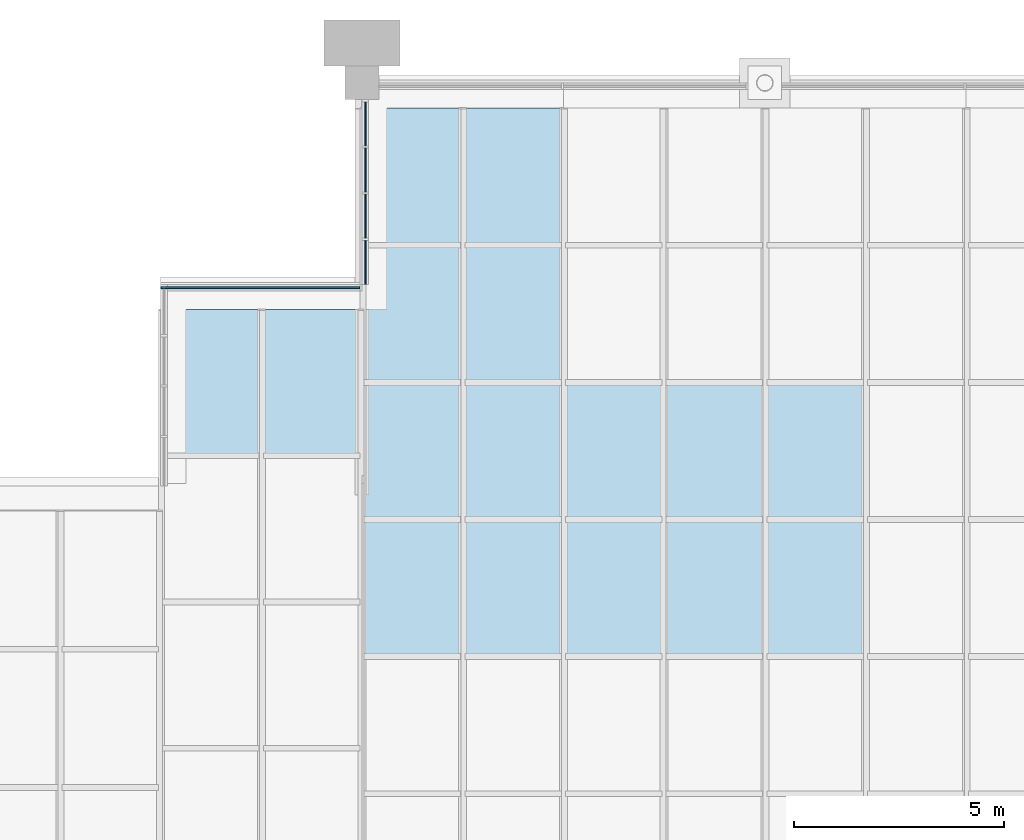
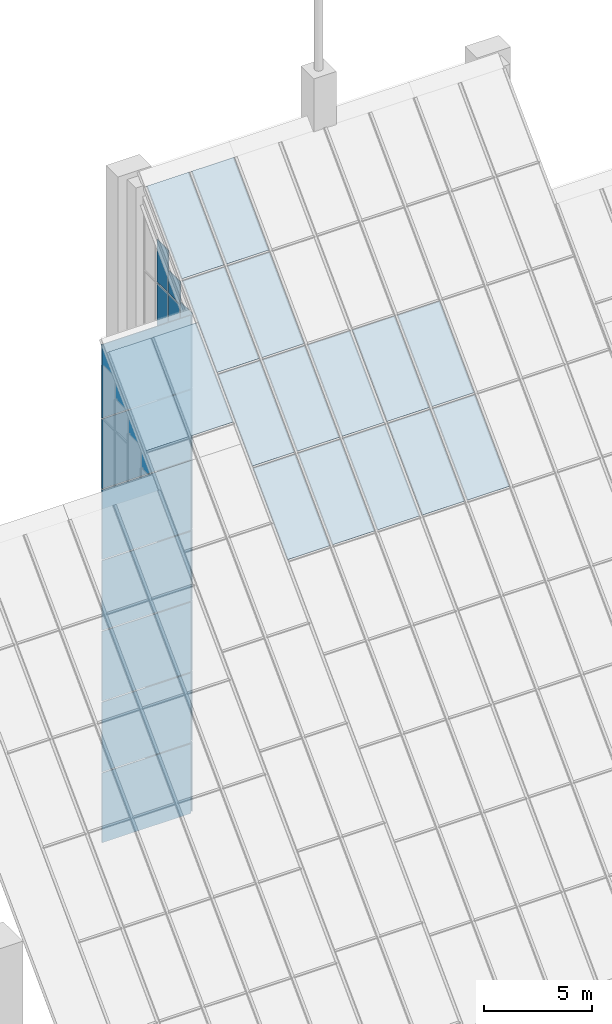
# One storey, part 21 of 25: 48 plates, 39 elements without a shape of their own.
"""IFC4 building model written with IfcOpenShell, lengths in metres."""

import ifcopenshell
import ifcopenshell.guid

model = None  # the IFC model being written
_history = None  # IfcOwnerHistory: only IFC2X3 demands one
_inside = {}  # id of a spatial element -> (the spatial element, [elements in it])
_under = {}  # id of a project, library or spatial element -> (it, [spatial elements below it])
_declared = {}  # id of a project -> (the project, [libraries it declares])
_typed = {}  # id of a type object -> (the type object, [elements of that type])
_made_of = {}  # id of a material, layer set ... -> (it, [elements and type objects made of it])


def new_model(schema):
    """Start an empty IFC model of exactly this schema.

    Asked for "IFC4X3", IfcOpenShell would pick the latest addendum, in which some entities
    have other attributes; the version numbers below select the first issue.
    IFC2X3 requires an IfcOwnerHistory on every rooted entity: one is made here for all.
    """
    global model, _history
    if schema == "IFC4X3":
        model = ifcopenshell.file(schema_version=(4, 3, 0, 0))
    else:
        model = ifcopenshell.file(schema=schema)
    _inside.clear()
    _under.clear()
    _declared.clear()
    _typed.clear()
    _made_of.clear()
    _history = None
    if model.schema == "IFC2X3":
        org = make("IfcOrganization", Name="unknown")
        user = make(
            "IfcPersonAndOrganization",
            ThePerson=make("IfcPerson", FamilyName="unknown"),
            TheOrganization=org,
        )
        app = make(
            "IfcApplication",
            ApplicationDeveloper=org,
            Version="unknown",
            ApplicationFullName="unknown",
            ApplicationIdentifier="unknown",
        )
        _history = make(
            "IfcOwnerHistory",
            OwningUser=user,
            OwningApplication=app,
            ChangeAction="ADDED",
            CreationDate=0,
        )
    return model


def make(cls, **values):
    """One entity of the class cls with the attributes given. An attribute that is None is left unset."""
    return model.create_entity(
        cls, **{name: value for name, value in values.items() if value is not None}
    )


def rooted(cls, **values):
    """An entity with a GlobalId (a new one), such as an element, a storey or a relation."""
    return make(cls, GlobalId=ifcopenshell.guid.new(), OwnerHistory=_history, **values)


def si_unit(unit_type, name, prefix=None):
    """IfcSIUnit, for example si_unit("LENGTHUNIT", "METRE", prefix="MILLI")."""
    return make("IfcSIUnit", UnitType=unit_type, Prefix=prefix, Name=name)


def assignment(units):
    """IfcUnitAssignment: the units of a project."""
    return None if units is None else make("IfcUnitAssignment", Units=units)


def point(xyz):
    """IfcCartesianPoint."""
    return None if xyz is None else make("IfcCartesianPoint", Coordinates=xyz)


def direction(xyz):
    """IfcDirection."""
    return None if xyz is None else make("IfcDirection", DirectionRatios=xyz)


def frame(location, z_axis=None, x_axis=None):
    """IfcAxis2Placement3D, a coordinate frame: its origin and axes. An axis left out is left unset."""
    return make(
        "IfcAxis2Placement3D",
        Location=point(location),
        Axis=direction(z_axis),
        RefDirection=direction(x_axis),
    )


def frame_2d(location, x_axis=None):
    """IfcAxis2Placement2D, a coordinate frame in the plane: its origin and x axis."""
    return make(
        "IfcAxis2Placement2D", Location=point(location), RefDirection=direction(x_axis)
    )


def origin():
    """The frame at (0, 0, 0) with its axes left unset."""
    return frame((0.0, 0.0, 0.0))


def origin_2d():
    """The frame at (0, 0) in the plane with its x axis left unset."""
    return frame_2d((0.0, 0.0))


def place(relative_to, where):
    """IfcLocalPlacement: puts the frame where relative to a parent placement (None: the world)."""
    return make(
        "IfcLocalPlacement", PlacementRelTo=relative_to, RelativePlacement=where
    )


def context(
    kind, dimensions, precision=None, world=None, true_north=None, identifier=None
):
    """IfcGeometricRepresentationContext, for example the 3D "Model" context."""
    return make(
        "IfcGeometricRepresentationContext",
        ContextIdentifier=identifier,
        ContextType=kind,
        CoordinateSpaceDimension=dimensions,
        Precision=precision,
        WorldCoordinateSystem=world,
        TrueNorth=true_north,
    )


def subcontext(parent, identifier, kind, view, scale=None):
    """IfcGeometricRepresentationSubContext, for example "Body" below "Model"."""
    return make(
        "IfcGeometricRepresentationSubContext",
        ContextIdentifier=identifier,
        ContextType=kind,
        ParentContext=parent,
        TargetScale=scale,
        TargetView=view,
    )


def project(units=None, contexts=None):
    """IfcProject with its units and contexts."""
    return rooted(
        "IfcProject",
        Name="project",
        RepresentationContexts=contexts,
        UnitsInContext=assignment(units),
    )


def spatial(cls, under=None, at=None, **own):
    """A site, building, storey or space (cls), placed at a placement, below another one or the project."""
    s = rooted(cls, ObjectPlacement=at, **own)
    if under is not None:
        _under.setdefault(under.id(), (under, []))[1].append(s)
    return s


def polyline(points):
    """IfcPolyline through the points."""
    return make("IfcPolyline", Points=[point(p) for p in points])


def profile(cls, at=None, kind="AREA", **sizes):
    """A parametric profile (cls). Its sizes go by their IFC names, for example OverallWidth=200.0."""
    return make(cls, ProfileType=kind, Position=at, **sizes)


def rectangle(**sizes):
    """IfcRectangleProfileDef."""
    return profile("IfcRectangleProfileDef", **sizes)


def outline(outer, holes=None, kind="AREA"):
    """IfcArbitraryClosedProfileDef: a profile drawn as a closed curve; with holes, ...WithVoids."""
    if holes is None:
        return make("IfcArbitraryClosedProfileDef", ProfileType=kind, OuterCurve=outer)
    return make(
        "IfcArbitraryProfileDefWithVoids",
        ProfileType=kind,
        OuterCurve=outer,
        InnerCurves=holes,
    )


def extrude(swept, where, along, depth):
    """IfcExtrudedAreaSolid: the profile swept, set in the frame where, extruded along a direction by depth."""
    return make(
        "IfcExtrudedAreaSolid",
        SweptArea=swept,
        Position=where,
        ExtrudedDirection=direction(along),
        Depth=depth,
    )


def shape(context_of_items, identifier, shape_type, items):
    """IfcShapeRepresentation: the items that make up one representation, for example the "Body"."""
    return make(
        "IfcShapeRepresentation",
        ContextOfItems=context_of_items,
        RepresentationIdentifier=identifier,
        RepresentationType=shape_type,
        Items=items,
    )


def material(Name=None, Category=None):
    """IfcMaterial."""
    return make("IfcMaterial", Name=Name, Category=Category)


def layer(
    of_material, thickness, ventilated=None, Name=None, Category=None, Priority=None
):
    """IfcMaterialLayer: one layer of a wall or slab, of a material (None: an air gap)."""
    return make(
        "IfcMaterialLayer",
        Material=of_material,
        LayerThickness=thickness,
        IsVentilated=ventilated,
        Name=Name,
        Category=Category,
        Priority=Priority,
    )


def layer_set(layers, Name=None):
    """IfcMaterialLayerSet."""
    return make("IfcMaterialLayerSet", MaterialLayers=layers, LayerSetName=Name)


def made_of(thing, what):
    """Note that an element or type object is made of a material, layer set ...; save() writes the relation."""
    if what is not None:
        _made_of.setdefault(what.id(), (what, []))[1].append(thing)
    return thing


def type_object(cls, material=None, **own):
    """A type object (cls), such as IfcWallType, which elements share."""
    return made_of(rooted(cls, **own), material)


def element(
    cls,
    number,
    at=None,
    inside=None,
    cuts=None,
    type_object=None,
    material=None,
    context=None,
    identifier="Body",
    shape_type=None,
    held_by="IfcProductDefinitionShape",
    body=None,
    shapes=None,
    **own,
):
    """One element of the class cls, such as IfcWall. Its Tag is "e" and its number.

    at: its placement. inside: the storey or other place that contains it. cuts: it is an
    opening in that element (IfcRelVoidsElement). A single representation is given by context,
    identifier, shape_type and body (its items); several are given by shapes. held_by: the class
    of the entity that holds the representations. save() writes the other relations.
    """
    e = rooted(cls, Tag="e%d" % number, ObjectPlacement=at, **own)
    if body is not None:
        shapes = [shape(context, identifier, shape_type, body)]
    if shapes is not None:
        e.Representation = make(held_by, Representations=shapes)
    if inside is not None:
        _inside.setdefault(inside.id(), (inside, []))[1].append(e)
    if cuts is not None:
        rooted(
            "IfcRelVoidsElement", RelatingBuildingElement=cuts, RelatedOpeningElement=e
        )
    if type_object is not None:
        _typed.setdefault(type_object.id(), (type_object, []))[1].append(e)
    return made_of(e, material)


def aggregate(whole, parts):
    """IfcRelAggregates: a whole, such as a stair, and the parts it consists of."""
    return rooted("IfcRelAggregates", RelatingObject=whole, RelatedObjects=parts)


def save(model, path):
    """Write the relations noted so far, then the file.

    IfcRelAggregates (storeys below a building ...), IfcRelContainedInSpatialStructure (elements
    in a storey), IfcRelDefinesByType, IfcRelAssociatesMaterial and IfcRelDeclares: one each for
    every whole, place, type object, material and project.
    """
    for whole, parts in _under.values():
        aggregate(whole, parts)
    for where, things in _inside.values():
        rooted(
            "IfcRelContainedInSpatialStructure",
            RelatedElements=things,
            RelatingStructure=where,
        )
    for kind, things in _typed.values():
        rooted("IfcRelDefinesByType", RelatedObjects=things, RelatingType=kind)
    for what, things in _made_of.values():
        rooted("IfcRelAssociatesMaterial", RelatedObjects=things, RelatingMaterial=what)
    for by, libraries in _declared.values():
        rooted("IfcRelDeclares", RelatingContext=by, RelatedDefinitions=libraries)
    model.write(path)


model = new_model("IFC4")

# Units and contexts
model_context = context("Model", 3, precision=1e-05, world=origin(), true_north=direction((0.0, 1.0)))
body_context = subcontext(model_context, "Body", "Model", "MODEL_VIEW")
ifc_project = project(units=[si_unit("LENGTHUNIT", "METRE"), si_unit("AREAUNIT", "SQUARE_METRE"), si_unit("VOLUMEUNIT", "CUBIC_METRE"), si_unit("PLANEANGLEUNIT", "RADIAN"), si_unit("MASSUNIT", "GRAM", prefix="KILO")], contexts=[model_context])

# Site, building, storey
site_placement = place(None, origin())
site = spatial("IfcSite", under=ifc_project, at=site_placement, CompositionType="ELEMENT")
building_placement = place(site_placement, origin())
building = spatial("IfcBuilding", under=site, at=building_placement, Name="Baori Bourse Tower", CompositionType="ELEMENT")
storey_placement = place(building_placement, frame((0.0, 0.0, 378.300048828125)))
storey = spatial("IfcBuildingStorey", under=building, at=storey_placement, Name="Roof", CompositionType="ELEMENT", Elevation=378.300048828125)

# Curtain wall, plate
ifc_material_1 = material(Name="Pale anodised aluminium", Category="aluminium")
curtain_wall_type_1 = type_object("IfcCurtainWallType", Name="CW3 Curtain wall", PredefinedType="NOTDEFINED", material=ifc_material_1)
curtain_wall_1_placement = place(storey_placement, origin())
curtain_wall_1 = element("IfcCurtainWall", 1, at=curtain_wall_1_placement, inside=storey, type_object=curtain_wall_type_1, Name="Curtain wall CW3 Roof 101", PredefinedType="NOTDEFINED")
ifc_material_2 = material(Name="Pale anodised aluminium", Category="aluminium")
ifc_layer_1 = layer(ifc_material_2, 0.0400390625)
ifc_layer_set_1 = layer_set([ifc_layer_1], Name="CW3 Curtain wall panel")
plate_type_1 = type_object("IfcPlateType", Name="CW3 Curtain wall panel", PredefinedType="CURTAIN_PANEL", material=ifc_layer_set_1)
plate_1_placement = place(storey_placement, frame((19.280029296875, 47.02490234375, -0.18994140625), z_axis=(0.0, 0.0, 1.0), x_axis=(0.0, -1.0, 0.0)))
plate_1 = element("IfcPlate", 2, at=plate_1_placement, type_object=plate_type_1, Name="Curtain wall CW3 louvre panel", PredefinedType="CURTAIN_PANEL", context=body_context, shape_type="SweptSolid", body=[
    extrude(rectangle(XDim=1.050048828125, YDim=0.0400390625, at=origin_2d()), origin(), (0.0, 0.0, 1.0), 3.93994140625),
])
aggregate(curtain_wall_1, [plate_1])

curtain_wall_2_placement = place(storey_placement, origin())
curtain_wall_2 = element("IfcCurtainWall", 3, at=curtain_wall_2_placement, inside=storey, type_object=curtain_wall_type_1, Name="Curtain wall CW3 Roof 102", PredefinedType="NOTDEFINED")
plate_2_placement = place(storey_placement, frame((19.280029296875, 47.02490234375, 3.81005859375), z_axis=(0.0, 0.0, 1.0), x_axis=(0.0, -1.0, 0.0)))
plate_2 = element("IfcPlate", 4, at=plate_2_placement, type_object=plate_type_1, Name="Curtain wall CW3 louvre panel", PredefinedType="CURTAIN_PANEL", context=body_context, shape_type="SweptSolid", body=[
    extrude(rectangle(XDim=1.050048828125, YDim=0.0400390625, at=origin_2d()), origin(), (0.0, 0.0, 1.0), 3.93994140625),
])
aggregate(curtain_wall_2, [plate_2])

curtain_wall_3_placement = place(storey_placement, origin())
curtain_wall_3 = element("IfcCurtainWall", 5, at=curtain_wall_3_placement, inside=storey, type_object=curtain_wall_type_1, Name="Curtain wall CW3 Roof 109", PredefinedType="NOTDEFINED")
plate_3_placement = place(storey_placement, frame((19.280029296875, 45.925048828125, -0.18994140625), z_axis=(0.0, 0.0, 1.0), x_axis=(0.0, -1.0, 0.0)))
plate_3 = element("IfcPlate", 6, at=plate_3_placement, type_object=plate_type_1, Name="Curtain wall CW3 louvre panel", PredefinedType="CURTAIN_PANEL", context=body_context, shape_type="SweptSolid", body=[
    extrude(rectangle(XDim=1.050048828125, YDim=0.0400390625, at=origin_2d()), origin(), (0.0, 0.0, 1.0), 3.93994140625),
])
aggregate(curtain_wall_3, [plate_3])

curtain_wall_4_placement = place(storey_placement, origin())
curtain_wall_4 = element("IfcCurtainWall", 7, at=curtain_wall_4_placement, inside=storey, type_object=curtain_wall_type_1, Name="Curtain wall CW3 Roof 110", PredefinedType="NOTDEFINED")
plate_4_placement = place(storey_placement, frame((19.280029296875, 45.925048828125, 3.81005859375), z_axis=(0.0, 0.0, 1.0), x_axis=(0.0, -1.0, 0.0)))
plate_4 = element("IfcPlate", 8, at=plate_4_placement, type_object=plate_type_1, Name="Curtain wall CW3 louvre panel", PredefinedType="CURTAIN_PANEL", context=body_context, shape_type="SweptSolid", body=[
    extrude(rectangle(XDim=1.050048828125, YDim=0.0400390625, at=origin_2d()), origin(), (0.0, 0.0, 1.0), 3.93994140625),
])
aggregate(curtain_wall_4, [plate_4])

curtain_wall_5_placement = place(storey_placement, origin())
curtain_wall_5 = element("IfcCurtainWall", 9, at=curtain_wall_5_placement, inside=storey, type_object=curtain_wall_type_1, Name="Curtain wall CW3 Roof 111", PredefinedType="NOTDEFINED")
plate_5_placement = place(storey_placement, frame((19.280029296875, 45.925048828125, 7.81005859375), z_axis=(0.0, 0.0, 1.0), x_axis=(0.0, -1.0, 0.0)))
plate_5 = element("IfcPlate", 10, at=plate_5_placement, type_object=plate_type_1, Name="Curtain wall CW3 louvre panel", PredefinedType="CURTAIN_PANEL", context=body_context, shape_type="SweptSolid", body=[
    extrude(rectangle(XDim=1.050048828125, YDim=0.0400390625, at=origin_2d()), origin(), (0.0, 0.0, 1.0), 3.93994140625),
])
aggregate(curtain_wall_5, [plate_5])

curtain_wall_6_placement = place(storey_placement, origin())
curtain_wall_6 = element("IfcCurtainWall", 11, at=curtain_wall_6_placement, inside=storey, type_object=curtain_wall_type_1, Name="Curtain wall CW3 Roof 112", PredefinedType="NOTDEFINED")
plate_6_placement = place(storey_placement, frame((19.280029296875, 45.925048828125, 11.81005859375), z_axis=(0.0, 0.0, 1.0), x_axis=(0.0, -1.0, 0.0)))
plate_6 = element("IfcPlate", 12, at=plate_6_placement, type_object=plate_type_1, Name="Curtain wall CW3 louvre panel", PredefinedType="CURTAIN_PANEL", context=body_context, shape_type="SweptSolid", body=[
    extrude(rectangle(XDim=1.050048828125, YDim=0.0400390625, at=origin_2d()), origin(), (0.0, 0.0, 1.0), 3.93994140625),
])
aggregate(curtain_wall_6, [plate_6])

curtain_wall_7_placement = place(storey_placement, origin())
curtain_wall_7 = element("IfcCurtainWall", 13, at=curtain_wall_7_placement, inside=storey, type_object=curtain_wall_type_1, Name="Curtain wall CW3 Roof 113", PredefinedType="NOTDEFINED")
plate_7_placement = place(storey_placement, frame((19.280029296875, 45.925048828125, 15.81005859375), z_axis=(0.0, 0.0, 1.0), x_axis=(0.0, -1.0, 0.0)))
plate_7 = element("IfcPlate", 14, at=plate_7_placement, type_object=plate_type_1, Name="Curtain wall CW3 louvre panel", PredefinedType="CURTAIN_PANEL", context=body_context, shape_type="SweptSolid", body=[
    extrude(rectangle(XDim=1.050048828125, YDim=0.0400390625, at=origin_2d()), origin(), (0.0, 0.0, 1.0), 3.93994140625),
])
aggregate(curtain_wall_7, [plate_7])

curtain_wall_8_placement = place(storey_placement, origin())
curtain_wall_8 = element("IfcCurtainWall", 15, at=curtain_wall_8_placement, inside=storey, type_object=curtain_wall_type_1, Name="Curtain wall CW3 Roof 114", PredefinedType="NOTDEFINED")
plate_8_placement = place(storey_placement, frame((19.280029296875, 45.925048828125, 19.81005859375), z_axis=(0.0, 0.0, 1.0), x_axis=(0.0, -1.0, 0.0)))
plate_8 = element("IfcPlate", 16, at=plate_8_placement, type_object=plate_type_1, Name="Curtain wall CW3 louvre panel", PredefinedType="CURTAIN_PANEL", context=body_context, shape_type="SweptSolid", body=[
    extrude(rectangle(XDim=1.050048828125, YDim=0.0400390625, at=origin_2d()), origin(), (0.0, 0.0, 1.0), 3.93994140625),
])
aggregate(curtain_wall_8, [plate_8])

curtain_wall_9_placement = place(storey_placement, origin())
curtain_wall_9 = element("IfcCurtainWall", 17, at=curtain_wall_9_placement, inside=storey, type_object=curtain_wall_type_1, Name="Curtain wall CW3 Roof 115", PredefinedType="NOTDEFINED")
plate_9_placement = place(storey_placement, frame((19.280029296875, 45.925048828125, 23.81005859375), z_axis=(0.0, 0.0, 1.0), x_axis=(0.0, -1.0, 0.0)))
plate_9 = element("IfcPlate", 18, at=plate_9_placement, type_object=plate_type_1, Name="Curtain wall CW3 louvre panel", PredefinedType="CURTAIN_PANEL", context=body_context, shape_type="SweptSolid", body=[
    extrude(rectangle(XDim=1.050048828125, YDim=0.0400390625, at=origin_2d()), origin(), (0.0, 0.0, 1.0), 3.93994140625),
])
aggregate(curtain_wall_9, [plate_9])

curtain_wall_10_placement = place(storey_placement, origin())
curtain_wall_10 = element("IfcCurtainWall", 19, at=curtain_wall_10_placement, inside=storey, type_object=curtain_wall_type_1, Name="Curtain wall CW3 Roof 116", PredefinedType="NOTDEFINED")
plate_10_placement = place(storey_placement, frame((19.280029296875, 45.925048828125, 27.81005859375), z_axis=(0.0, 0.0, 1.0), x_axis=(0.0, -1.0, 0.0)))
plate_10 = element("IfcPlate", 20, at=plate_10_placement, type_object=plate_type_1, Name="Curtain wall CW3 louvre panel", PredefinedType="CURTAIN_PANEL", context=body_context, shape_type="SweptSolid", body=[
    extrude(rectangle(XDim=1.050048828125, YDim=0.0400390625, at=origin_2d()), origin(), (0.0, 0.0, 1.0), 2.387451171875),
])
aggregate(curtain_wall_10, [plate_10])

curtain_wall_11_placement = place(storey_placement, origin())
curtain_wall_11 = element("IfcCurtainWall", 21, at=curtain_wall_11_placement, inside=storey, type_object=curtain_wall_type_1, Name="Curtain wall CW3 Roof 117", PredefinedType="NOTDEFINED")
plate_11_placement = place(storey_placement, frame((19.280029296875, 44.824951171875, -0.18994140625), z_axis=(0.0, 0.0, 1.0), x_axis=(0.0, -1.0, 0.0)))
plate_11 = element("IfcPlate", 22, at=plate_11_placement, type_object=plate_type_1, Name="Curtain wall CW3 louvre panel", PredefinedType="CURTAIN_PANEL", context=body_context, shape_type="SweptSolid", body=[
    extrude(rectangle(XDim=1.050048828125, YDim=0.0400390625, at=origin_2d()), origin(), (0.0, 0.0, 1.0), 3.93994140625),
])
aggregate(curtain_wall_11, [plate_11])

curtain_wall_12_placement = place(storey_placement, origin())
curtain_wall_12 = element("IfcCurtainWall", 23, at=curtain_wall_12_placement, inside=storey, type_object=curtain_wall_type_1, Name="Curtain wall CW3 Roof 118", PredefinedType="NOTDEFINED")
plate_12_placement = place(storey_placement, frame((19.280029296875, 44.824951171875, 3.81005859375), z_axis=(0.0, 0.0, 1.0), x_axis=(0.0, -1.0, 0.0)))
plate_12 = element("IfcPlate", 24, at=plate_12_placement, type_object=plate_type_1, Name="Curtain wall CW3 louvre panel", PredefinedType="CURTAIN_PANEL", context=body_context, shape_type="SweptSolid", body=[
    extrude(rectangle(XDim=1.050048828125, YDim=0.0400390625, at=origin_2d()), origin(), (0.0, 0.0, 1.0), 3.93994140625),
])
aggregate(curtain_wall_12, [plate_12])

curtain_wall_13_placement = place(storey_placement, origin())
curtain_wall_13 = element("IfcCurtainWall", 25, at=curtain_wall_13_placement, inside=storey, type_object=curtain_wall_type_1, Name="Curtain wall CW3 Roof 119", PredefinedType="NOTDEFINED")
plate_13_placement = place(storey_placement, frame((19.280029296875, 44.824951171875, 7.81005859375), z_axis=(0.0, 0.0, 1.0), x_axis=(0.0, -1.0, 0.0)))
plate_13 = element("IfcPlate", 26, at=plate_13_placement, type_object=plate_type_1, Name="Curtain wall CW3 louvre panel", PredefinedType="CURTAIN_PANEL", context=body_context, shape_type="SweptSolid", body=[
    extrude(rectangle(XDim=1.050048828125, YDim=0.0400390625, at=origin_2d()), origin(), (0.0, 0.0, 1.0), 3.93994140625),
])
aggregate(curtain_wall_13, [plate_13])

curtain_wall_14_placement = place(storey_placement, origin())
curtain_wall_14 = element("IfcCurtainWall", 27, at=curtain_wall_14_placement, inside=storey, type_object=curtain_wall_type_1, Name="Curtain wall CW3 Roof 120", PredefinedType="NOTDEFINED")
plate_14_placement = place(storey_placement, frame((19.280029296875, 44.824951171875, 11.81005859375), z_axis=(0.0, 0.0, 1.0), x_axis=(0.0, -1.0, 0.0)))
plate_14 = element("IfcPlate", 28, at=plate_14_placement, type_object=plate_type_1, Name="Curtain wall CW3 louvre panel", PredefinedType="CURTAIN_PANEL", context=body_context, shape_type="SweptSolid", body=[
    extrude(rectangle(XDim=1.050048828125, YDim=0.0400390625, at=origin_2d()), origin(), (0.0, 0.0, 1.0), 3.93994140625),
])
aggregate(curtain_wall_14, [plate_14])

curtain_wall_15_placement = place(storey_placement, origin())
curtain_wall_15 = element("IfcCurtainWall", 29, at=curtain_wall_15_placement, inside=storey, type_object=curtain_wall_type_1, Name="Curtain wall CW3 Roof 121", PredefinedType="NOTDEFINED")
plate_15_placement = place(storey_placement, frame((19.280029296875, 44.824951171875, 15.81005859375), z_axis=(0.0, 0.0, 1.0), x_axis=(0.0, -1.0, 0.0)))
plate_15 = element("IfcPlate", 30, at=plate_15_placement, type_object=plate_type_1, Name="Curtain wall CW3 louvre panel", PredefinedType="CURTAIN_PANEL", context=body_context, shape_type="SweptSolid", body=[
    extrude(rectangle(XDim=1.050048828125, YDim=0.0400390625, at=origin_2d()), origin(), (0.0, 0.0, 1.0), 3.93994140625),
])
aggregate(curtain_wall_15, [plate_15])

curtain_wall_16_placement = place(storey_placement, origin())
curtain_wall_16 = element("IfcCurtainWall", 31, at=curtain_wall_16_placement, inside=storey, type_object=curtain_wall_type_1, Name="Curtain wall CW3 Roof 122", PredefinedType="NOTDEFINED")
plate_16_placement = place(storey_placement, frame((19.280029296875, 44.824951171875, 19.81005859375), z_axis=(0.0, 0.0, 1.0), x_axis=(0.0, -1.0, 0.0)))
plate_16 = element("IfcPlate", 32, at=plate_16_placement, type_object=plate_type_1, Name="Curtain wall CW3 louvre panel", PredefinedType="CURTAIN_PANEL", context=body_context, shape_type="SweptSolid", body=[
    extrude(rectangle(XDim=1.050048828125, YDim=0.0400390625, at=origin_2d()), origin(), (0.0, 0.0, 1.0), 3.93994140625),
])
aggregate(curtain_wall_16, [plate_16])

curtain_wall_17_placement = place(storey_placement, origin())
curtain_wall_17 = element("IfcCurtainWall", 33, at=curtain_wall_17_placement, inside=storey, type_object=curtain_wall_type_1, Name="Curtain wall CW3 Roof 123", PredefinedType="NOTDEFINED")
plate_17_placement = place(storey_placement, frame((19.280029296875, 44.824951171875, 23.81005859375), z_axis=(0.0, 0.0, 1.0), x_axis=(0.0, -1.0, 0.0)))
plate_17 = element("IfcPlate", 34, at=plate_17_placement, type_object=plate_type_1, Name="Curtain wall CW3 louvre panel", PredefinedType="CURTAIN_PANEL", context=body_context, shape_type="SweptSolid", body=[
    extrude(rectangle(XDim=1.050048828125, YDim=0.0400390625, at=origin_2d()), origin(), (0.0, 0.0, 1.0), 3.93994140625),
])
aggregate(curtain_wall_17, [plate_17])

curtain_wall_18_placement = place(storey_placement, origin())
curtain_wall_18 = element("IfcCurtainWall", 35, at=curtain_wall_18_placement, inside=storey, type_object=curtain_wall_type_1, Name="Curtain wall CW3 Roof 124", PredefinedType="NOTDEFINED")
plate_18_placement = place(storey_placement, frame((19.280029296875, 44.824951171875, 27.81005859375), z_axis=(0.0, 0.0, 1.0), x_axis=(0.0, -1.0, 0.0)))
plate_18 = element("IfcPlate", 36, at=plate_18_placement, type_object=plate_type_1, Name="Curtain wall CW3 louvre panel", PredefinedType="CURTAIN_PANEL", context=body_context, shape_type="SweptSolid", body=[
    extrude(rectangle(XDim=1.050048828125, YDim=0.0400390625, at=origin_2d()), origin(), (0.0, 0.0, 1.0), 1.273681640625),
])
aggregate(curtain_wall_18, [plate_18])

curtain_wall_19_placement = place(storey_placement, origin())
curtain_wall_19 = element("IfcCurtainWall", 37, at=curtain_wall_19_placement, inside=storey, type_object=curtain_wall_type_1, Name="Curtain wall CW3 Roof 125", PredefinedType="NOTDEFINED")
plate_19_placement = place(storey_placement, frame((19.280029296875, 43.72509765625, -0.18994140625), z_axis=(0.0, 0.0, 1.0), x_axis=(0.0, -1.0, 0.0)))
plate_19 = element("IfcPlate", 38, at=plate_19_placement, type_object=plate_type_1, Name="Curtain wall CW3 louvre panel", PredefinedType="CURTAIN_PANEL", context=body_context, shape_type="SweptSolid", body=[
    extrude(rectangle(XDim=1.050048828125, YDim=0.0400390625, at=origin_2d()), origin(), (0.0, 0.0, 1.0), 3.93994140625),
])
aggregate(curtain_wall_19, [plate_19])

curtain_wall_20_placement = place(storey_placement, origin())
curtain_wall_20 = element("IfcCurtainWall", 39, at=curtain_wall_20_placement, inside=storey, type_object=curtain_wall_type_1, Name="Curtain wall CW3 Roof 126", PredefinedType="NOTDEFINED")
plate_20_placement = place(storey_placement, frame((19.280029296875, 43.72509765625, 3.81005859375), z_axis=(0.0, 0.0, 1.0), x_axis=(0.0, -1.0, 0.0)))
plate_20 = element("IfcPlate", 40, at=plate_20_placement, type_object=plate_type_1, Name="Curtain wall CW3 louvre panel", PredefinedType="CURTAIN_PANEL", context=body_context, shape_type="SweptSolid", body=[
    extrude(rectangle(XDim=1.050048828125, YDim=0.0400390625, at=origin_2d()), origin(), (0.0, 0.0, 1.0), 3.93994140625),
])
aggregate(curtain_wall_20, [plate_20])

curtain_wall_21_placement = place(storey_placement, origin())
curtain_wall_21 = element("IfcCurtainWall", 41, at=curtain_wall_21_placement, inside=storey, type_object=curtain_wall_type_1, Name="Curtain wall CW3 Roof 127", PredefinedType="NOTDEFINED")
plate_21_placement = place(storey_placement, frame((19.280029296875, 43.72509765625, 7.81005859375), z_axis=(0.0, 0.0, 1.0), x_axis=(0.0, -1.0, 0.0)))
plate_21 = element("IfcPlate", 42, at=plate_21_placement, type_object=plate_type_1, Name="Curtain wall CW3 louvre panel", PredefinedType="CURTAIN_PANEL", context=body_context, shape_type="SweptSolid", body=[
    extrude(rectangle(XDim=1.050048828125, YDim=0.0400390625, at=origin_2d()), origin(), (0.0, 0.0, 1.0), 3.93994140625),
])
aggregate(curtain_wall_21, [plate_21])

curtain_wall_22_placement = place(storey_placement, origin())
curtain_wall_22 = element("IfcCurtainWall", 43, at=curtain_wall_22_placement, inside=storey, type_object=curtain_wall_type_1, Name="Curtain wall CW3 Roof 128", PredefinedType="NOTDEFINED")
plate_22_placement = place(storey_placement, frame((19.280029296875, 43.72509765625, 11.81005859375), z_axis=(0.0, 0.0, 1.0), x_axis=(0.0, -1.0, 0.0)))
plate_22 = element("IfcPlate", 44, at=plate_22_placement, type_object=plate_type_1, Name="Curtain wall CW3 louvre panel", PredefinedType="CURTAIN_PANEL", context=body_context, shape_type="SweptSolid", body=[
    extrude(rectangle(XDim=1.050048828125, YDim=0.0400390625, at=origin_2d()), origin(), (0.0, 0.0, 1.0), 3.93994140625),
])
aggregate(curtain_wall_22, [plate_22])

curtain_wall_23_placement = place(storey_placement, origin())
curtain_wall_23 = element("IfcCurtainWall", 45, at=curtain_wall_23_placement, inside=storey, type_object=curtain_wall_type_1, Name="Curtain wall CW3 Roof 129", PredefinedType="NOTDEFINED")
plate_23_placement = place(storey_placement, frame((19.280029296875, 43.72509765625, 15.81005859375), z_axis=(0.0, 0.0, 1.0), x_axis=(0.0, -1.0, 0.0)))
plate_23 = element("IfcPlate", 46, at=plate_23_placement, type_object=plate_type_1, Name="Curtain wall CW3 louvre panel", PredefinedType="CURTAIN_PANEL", context=body_context, shape_type="SweptSolid", body=[
    extrude(rectangle(XDim=1.050048828125, YDim=0.0400390625, at=origin_2d()), origin(), (0.0, 0.0, 1.0), 3.93994140625),
])
aggregate(curtain_wall_23, [plate_23])

curtain_wall_24_placement = place(storey_placement, origin())
curtain_wall_24 = element("IfcCurtainWall", 47, at=curtain_wall_24_placement, inside=storey, type_object=curtain_wall_type_1, Name="Curtain wall CW3 Roof 130", PredefinedType="NOTDEFINED")
plate_24_placement = place(storey_placement, frame((19.280029296875, 43.72509765625, 19.81005859375), z_axis=(0.0, 0.0, 1.0), x_axis=(0.0, -1.0, 0.0)))
plate_24 = element("IfcPlate", 48, at=plate_24_placement, type_object=plate_type_1, Name="Curtain wall CW3 louvre panel", PredefinedType="CURTAIN_PANEL", context=body_context, shape_type="SweptSolid", body=[
    extrude(rectangle(XDim=1.050048828125, YDim=0.0400390625, at=origin_2d()), origin(), (0.0, 0.0, 1.0), 3.93994140625),
])
aggregate(curtain_wall_24, [plate_24])

curtain_wall_25_placement = place(storey_placement, origin())
curtain_wall_25 = element("IfcCurtainWall", 49, at=curtain_wall_25_placement, inside=storey, type_object=curtain_wall_type_1, Name="Curtain wall CW3 Roof 131", PredefinedType="NOTDEFINED")
plate_25_placement = place(storey_placement, frame((19.280029296875, 43.72509765625, 23.81005859375), z_axis=(0.0, 0.0, 1.0), x_axis=(0.0, -1.0, 0.0)))
plate_25 = element("IfcPlate", 50, at=plate_25_placement, type_object=plate_type_1, Name="Curtain wall CW3 louvre panel", PredefinedType="CURTAIN_PANEL", context=body_context, shape_type="SweptSolid", body=[
    extrude(rectangle(XDim=1.050048828125, YDim=0.0400390625, at=origin_2d()), origin(), (0.0, 0.0, 1.0), 4.159912109375),
])
aggregate(curtain_wall_25, [plate_25])

curtain_wall_26_placement = place(storey_placement, origin())
curtain_wall_26 = element("IfcCurtainWall", 51, at=curtain_wall_26_placement, inside=storey, type_object=curtain_wall_type_1, Name="Curtain wall CW3 Roof 132", PredefinedType="NOTDEFINED")
plate_26_placement = place(storey_placement, frame((16.77490234375, 43.1201171875, -0.18994140625), z_axis=(0.0, 0.0, 1.0), x_axis=(-1.0, 0.0, 0.0)))
plate_26 = element("IfcPlate", 52, at=plate_26_placement, type_object=plate_type_1, Name="Curtain wall CW3 louvre panel", PredefinedType="CURTAIN_PANEL", context=body_context, shape_type="SweptSolid", body=[
    extrude(rectangle(XDim=4.75, YDim=0.0400390625, at=origin_2d()), origin(), (0.0, 0.0, 1.0), 3.93994140625),
])
aggregate(curtain_wall_26, [plate_26])

curtain_wall_27_placement = place(storey_placement, origin())
curtain_wall_27 = element("IfcCurtainWall", 53, at=curtain_wall_27_placement, inside=storey, type_object=curtain_wall_type_1, Name="Curtain wall CW3 Roof 133", PredefinedType="NOTDEFINED")
plate_27_placement = place(storey_placement, frame((16.77490234375, 43.1201171875, 3.81005859375), z_axis=(0.0, 0.0, 1.0), x_axis=(-1.0, 0.0, 0.0)))
plate_27 = element("IfcPlate", 54, at=plate_27_placement, type_object=plate_type_1, Name="Curtain wall CW3 louvre panel", PredefinedType="CURTAIN_PANEL", context=body_context, shape_type="SweptSolid", body=[
    extrude(rectangle(XDim=4.75, YDim=0.0400390625, at=origin_2d()), origin(), (0.0, 0.0, 1.0), 3.93994140625),
])
aggregate(curtain_wall_27, [plate_27])

curtain_wall_28_placement = place(storey_placement, origin())
curtain_wall_28 = element("IfcCurtainWall", 55, at=curtain_wall_28_placement, inside=storey, type_object=curtain_wall_type_1, Name="Curtain wall CW3 Roof 134", PredefinedType="NOTDEFINED")
plate_28_placement = place(storey_placement, frame((16.77490234375, 43.1201171875, 7.81005859375), z_axis=(0.0, 0.0, 1.0), x_axis=(-1.0, 0.0, 0.0)))
plate_28 = element("IfcPlate", 56, at=plate_28_placement, type_object=plate_type_1, Name="Curtain wall CW3 louvre panel", PredefinedType="CURTAIN_PANEL", context=body_context, shape_type="SweptSolid", body=[
    extrude(rectangle(XDim=4.75, YDim=0.0400390625, at=origin_2d()), origin(), (0.0, 0.0, 1.0), 3.93994140625),
])
aggregate(curtain_wall_28, [plate_28])

curtain_wall_29_placement = place(storey_placement, origin())
curtain_wall_29 = element("IfcCurtainWall", 57, at=curtain_wall_29_placement, inside=storey, type_object=curtain_wall_type_1, Name="Curtain wall CW3 Roof 135", PredefinedType="NOTDEFINED")
plate_29_placement = place(storey_placement, frame((16.77490234375, 43.1201171875, 11.81005859375), z_axis=(0.0, 0.0, 1.0), x_axis=(-1.0, 0.0, 0.0)))
plate_29 = element("IfcPlate", 58, at=plate_29_placement, type_object=plate_type_1, Name="Curtain wall CW3 louvre panel", PredefinedType="CURTAIN_PANEL", context=body_context, shape_type="SweptSolid", body=[
    extrude(rectangle(XDim=4.75, YDim=0.0400390625, at=origin_2d()), origin(), (0.0, 0.0, 1.0), 3.93994140625),
])
aggregate(curtain_wall_29, [plate_29])

curtain_wall_30_placement = place(storey_placement, origin())
curtain_wall_30 = element("IfcCurtainWall", 59, at=curtain_wall_30_placement, inside=storey, type_object=curtain_wall_type_1, Name="Curtain wall CW3 Roof 136", PredefinedType="NOTDEFINED")
plate_30_placement = place(storey_placement, frame((16.77490234375, 43.1201171875, 15.81005859375), z_axis=(0.0, 0.0, 1.0), x_axis=(-1.0, 0.0, 0.0)))
plate_30 = element("IfcPlate", 60, at=plate_30_placement, type_object=plate_type_1, Name="Curtain wall CW3 louvre panel", PredefinedType="CURTAIN_PANEL", context=body_context, shape_type="SweptSolid", body=[
    extrude(rectangle(XDim=4.75, YDim=0.0400390625, at=origin_2d()), origin(), (0.0, 0.0, 1.0), 3.93994140625),
])
aggregate(curtain_wall_30, [plate_30])

curtain_wall_31_placement = place(storey_placement, origin())
curtain_wall_31 = element("IfcCurtainWall", 61, at=curtain_wall_31_placement, inside=storey, type_object=curtain_wall_type_1, Name="Curtain wall CW3 Roof 137", PredefinedType="NOTDEFINED")
plate_31_placement = place(storey_placement, frame((16.77490234375, 43.1201171875, 19.81005859375), z_axis=(0.0, 0.0, 1.0), x_axis=(-1.0, 0.0, 0.0)))
plate_31 = element("IfcPlate", 62, at=plate_31_placement, type_object=plate_type_1, Name="Curtain wall CW3 louvre panel", PredefinedType="CURTAIN_PANEL", context=body_context, shape_type="SweptSolid", body=[
    extrude(rectangle(XDim=4.75, YDim=0.0400390625, at=origin_2d()), origin(), (0.0, 0.0, 1.0), 3.93994140625),
])
aggregate(curtain_wall_31, [plate_31])

curtain_wall_32_placement = place(storey_placement, origin())
curtain_wall_32 = element("IfcCurtainWall", 63, at=curtain_wall_32_placement, inside=storey, type_object=curtain_wall_type_1, Name="Curtain wall CW3 Roof 138", PredefinedType="NOTDEFINED")
plate_32_placement = place(storey_placement, frame((16.77490234375, 43.1201171875, 23.81005859375), z_axis=(0.0, 0.0, 1.0), x_axis=(-1.0, 0.0, 0.0)))
plate_32 = element("IfcPlate", 64, at=plate_32_placement, type_object=plate_type_1, Name="Curtain wall CW3 louvre panel", PredefinedType="CURTAIN_PANEL", context=body_context, shape_type="SweptSolid", body=[
    extrude(rectangle(XDim=4.75, YDim=0.0400390625, at=origin_2d()), origin(), (0.0, 0.0, 1.0), 4.159912109375),
])
aggregate(curtain_wall_32, [plate_32])

ifc_material_3 = material(Name="Pale anodised aluminium", Category="aluminium")
curtain_wall_type_2 = type_object("IfcCurtainWallType", Name="CW4 Curtain wall", PredefinedType="NOTDEFINED", material=ifc_material_3)
curtain_wall_33_placement = place(storey_placement, origin())
curtain_wall_33 = element("IfcCurtainWall", 65, at=curtain_wall_33_placement, inside=storey, type_object=curtain_wall_type_2, Name="Curtain wall CW4 roof glazing 6", PredefinedType="NOTDEFINED")
ifc_material_4 = material(Name="Clear glass", Category="glass")
ifc_layer_2 = layer(ifc_material_4, 0.02587890625)
ifc_layer_set_2 = layer_set([ifc_layer_2], Name="CW4 Curtain wall panel")
plate_type_2 = type_object("IfcPlateType", Name="CW4 Curtain wall panel", PredefinedType="CURTAIN_PANEL", material=ifc_layer_set_2)
plate_33_placement = place(storey_placement, frame((14.449951171875, 39.142822265625, 24.335693359375), z_axis=(0.0, -0.711460214238, 0.702726378868), x_axis=(1.0, 0.0, 0.0)))
plate_33 = element("IfcPlate", 66, at=plate_33_placement, type_object=plate_type_2, Name="Curtain wall CW4 roof glass 6.8", PredefinedType="CURTAIN_PANEL", context=body_context, shape_type="SweptSolid", body=[
    extrude(outline(polyline([(0.0, 0.0), (2.300048828125, 0.0), (2.300048828125, 4.919803062176462), (0.0, 4.919803062176462), (0.0, 0.0)])), origin(), (0.0, 0.0, -1.0), 0.02587890625),
])
aggregate(curtain_wall_33, [plate_33])

curtain_wall_34_placement = place(storey_placement, origin())
curtain_wall_34 = element("IfcCurtainWall", 67, at=curtain_wall_34_placement, inside=storey, type_object=curtain_wall_type_2, Name="Curtain wall CW4 roof glazing 7", PredefinedType="NOTDEFINED")
plate_34_placement = place(storey_placement, frame((16.85009765625, 39.142822265625, 24.335693359375), z_axis=(0.0, -0.711460214238, 0.702726378868), x_axis=(1.0, 0.0, 0.0)))
plate_34 = element("IfcPlate", 68, at=plate_34_placement, type_object=plate_type_2, Name="Curtain wall CW4 roof glass 7.8", PredefinedType="CURTAIN_PANEL", context=body_context, shape_type="SweptSolid", body=[
    extrude(outline(polyline([(0.0, 0.0), (2.2998046875, 0.0), (2.2998046875, 4.919803062176462), (0.0, 4.919803062176462), (0.0, 0.0)])), origin(), (0.0, 0.0, -1.0), 0.02587890625),
])
aggregate(curtain_wall_34, [plate_34])

# Curtain wall, plates
curtain_wall_35_placement = place(storey_placement, origin())
curtain_wall_35 = element("IfcCurtainWall", 69, at=curtain_wall_35_placement, inside=storey, type_object=curtain_wall_type_2, Name="Curtain wall CW4 roof glazing 9", PredefinedType="NOTDEFINED")
plate_35_placement = place(storey_placement, frame((19.25, 34.35693359375, 19.404296875), z_axis=(0.0, -0.711498538382, 0.702687576296), x_axis=(1.0, 0.0, 0.0)))
plate_35 = element("IfcPlate", 70, at=plate_35_placement, type_object=plate_type_2, Name="Curtain wall CW4 roof glass 9.7", PredefinedType="CURTAIN_PANEL", context=body_context, shape_type="SweptSolid", body=[
    extrude(outline(polyline([(0.0, 0.0), (2.300048828125, 0.0), (2.300048828125, 4.571941489715928), (0.0, 4.571941489715928), (0.0, 0.0)])), origin(), (0.0, 0.0, -1.0), 0.02587890625),
])
plate_36_placement = place(storey_placement, frame((19.25, 37.62451171875, 22.712890625), z_axis=(0.0, -0.711498538382, 0.702687576296), x_axis=(1.0, 0.0, 0.0)))
plate_36 = element("IfcPlate", 71, at=plate_36_placement, type_object=plate_type_2, Name="Curtain wall CW4 roof glass 9.8", PredefinedType="CURTAIN_PANEL", context=body_context, shape_type="SweptSolid", body=[
    extrude(outline(polyline([(0.0, 0.0), (2.300048828125, 0.0), (2.300048828125, 4.571941489715928), (0.0, 4.571941489715928), (0.0, 0.0)])), origin(), (0.0, 0.0, -1.0), 0.02587890625),
])
plate_37_placement = place(storey_placement, frame((19.25, 40.89208984375, 26.021484375), z_axis=(0.0, -0.711472169684, 0.702714274628), x_axis=(1.0, 0.0, 0.0)))
plate_37 = element("IfcPlate", 72, at=plate_37_placement, type_object=plate_type_2, Name="Curtain wall CW4 roof glass 9.9", PredefinedType="CURTAIN_PANEL", context=body_context, shape_type="SweptSolid", body=[
    extrude(outline(polyline([(0.0, 0.0), (2.300048828125, 0.0), (2.300048828125, 4.571767787236855), (0.0, 4.571767787236855), (0.0, 0.0)])), origin(), (0.0, 0.0, -1.0), 0.02587890625),
])
plate_38_placement = place(storey_placement, frame((19.25, 44.159912109375, 29.329833984375), z_axis=(0.0, -0.711514110616, 0.702671808453), x_axis=(1.0, 0.0, 0.0)))
plate_38 = element("IfcPlate", 73, at=plate_38_placement, type_object=plate_type_2, Name="Curtain wall CW4 roof glass 9.10", PredefinedType="CURTAIN_PANEL", context=body_context, shape_type="SweptSolid", body=[
    extrude(outline(polyline([(0.0, 0.0), (2.300048828125, 0.0), (2.300048828125, 4.610958053817105), (0.0, 4.610958053817105), (0.0, 0.0)])), origin(), (0.0, 0.0, -1.0), 0.02587890625),
])
aggregate(curtain_wall_35, [plate_35, plate_36, plate_37, plate_38])

curtain_wall_36_placement = place(storey_placement, origin())
curtain_wall_36 = element("IfcCurtainWall", 74, at=curtain_wall_36_placement, inside=storey, type_object=curtain_wall_type_2, Name="Curtain wall CW4 roof glazing 11", PredefinedType="NOTDEFINED")
plate_39_placement = place(storey_placement, frame((21.64990234375, 34.35693359375, 19.404296875), z_axis=(0.0, -0.711498538382, 0.702687576296), x_axis=(1.0, 0.0, 0.0)))
plate_39 = element("IfcPlate", 75, at=plate_39_placement, type_object=plate_type_2, Name="Curtain wall CW4 roof glass 11.7", PredefinedType="CURTAIN_PANEL", context=body_context, shape_type="SweptSolid", body=[
    extrude(outline(polyline([(0.0, 0.0), (2.300048828125, 0.0), (2.300048828125, 4.571941489715928), (0.0, 4.571941489715928), (0.0, 0.0)])), origin(), (0.0, 0.0, -1.0), 0.02587890625),
])
plate_40_placement = place(storey_placement, frame((21.64990234375, 37.62451171875, 22.712890625), z_axis=(0.0, -0.711498538382, 0.702687576296), x_axis=(1.0, 0.0, 0.0)))
plate_40 = element("IfcPlate", 76, at=plate_40_placement, type_object=plate_type_2, Name="Curtain wall CW4 roof glass 11.8", PredefinedType="CURTAIN_PANEL", context=body_context, shape_type="SweptSolid", body=[
    extrude(outline(polyline([(0.0, 0.0), (2.300048828125, 0.0), (2.300048828125, 4.571941489715928), (0.0, 4.571941489715928), (0.0, 0.0)])), origin(), (0.0, 0.0, -1.0), 0.02587890625),
])
plate_41_placement = place(storey_placement, frame((21.64990234375, 40.89208984375, 26.021484375), z_axis=(0.0, -0.711472169684, 0.702714274628), x_axis=(1.0, 0.0, 0.0)))
plate_41 = element("IfcPlate", 77, at=plate_41_placement, type_object=plate_type_2, Name="Curtain wall CW4 roof glass 11.9", PredefinedType="CURTAIN_PANEL", context=body_context, shape_type="SweptSolid", body=[
    extrude(outline(polyline([(0.0, 0.0), (2.300048828125, 0.0), (2.300048828125, 4.571767787236855), (0.0, 4.571767787236855), (0.0, 0.0)])), origin(), (0.0, 0.0, -1.0), 0.02587890625),
])
plate_42_placement = place(storey_placement, frame((21.64990234375, 44.159912109375, 29.329833984375), z_axis=(0.0, -0.711514110616, 0.702671808453), x_axis=(1.0, 0.0, 0.0)))
plate_42 = element("IfcPlate", 78, at=plate_42_placement, type_object=plate_type_2, Name="Curtain wall CW4 roof glass 11.10", PredefinedType="CURTAIN_PANEL", context=body_context, shape_type="SweptSolid", body=[
    extrude(outline(polyline([(0.0, 0.0), (2.300048828125, 0.0), (2.300048828125, 4.610958053817105), (0.0, 4.610958053817105), (0.0, 0.0)])), origin(), (0.0, 0.0, -1.0), 0.02587890625),
])
aggregate(curtain_wall_36, [plate_39, plate_40, plate_41, plate_42])

curtain_wall_37_placement = place(storey_placement, origin())
curtain_wall_37 = element("IfcCurtainWall", 79, at=curtain_wall_37_placement, inside=storey, type_object=curtain_wall_type_2, Name="Curtain wall CW4 roof glazing 13", PredefinedType="NOTDEFINED")
plate_43_placement = place(storey_placement, frame((24.050048828125, 34.35693359375, 19.404296875), z_axis=(0.0, -0.711498538382, 0.702687576296), x_axis=(1.0, 0.0, 0.0)))
plate_43 = element("IfcPlate", 80, at=plate_43_placement, type_object=plate_type_2, Name="Curtain wall CW4 roof glass 13.7", PredefinedType="CURTAIN_PANEL", context=body_context, shape_type="SweptSolid", body=[
    extrude(outline(polyline([(0.0, 0.0), (2.300048828125, 0.0), (2.300048828125, 4.571941489715928), (0.0, 4.571941489715928), (0.0, 0.0)])), origin(), (0.0, 0.0, -1.0), 0.02587890625),
])
plate_44_placement = place(storey_placement, frame((24.050048828125, 37.62451171875, 22.712890625), z_axis=(0.0, -0.711498538382, 0.702687576296), x_axis=(1.0, 0.0, 0.0)))
plate_44 = element("IfcPlate", 81, at=plate_44_placement, type_object=plate_type_2, Name="Curtain wall CW4 roof glass 13.8", PredefinedType="CURTAIN_PANEL", context=body_context, shape_type="SweptSolid", body=[
    extrude(outline(polyline([(0.0, 0.0), (2.300048828125, 0.0), (2.300048828125, 4.571941489715928), (0.0, 4.571941489715928), (0.0, 0.0)])), origin(), (0.0, 0.0, -1.0), 0.02587890625),
])
aggregate(curtain_wall_37, [plate_43, plate_44])

curtain_wall_38_placement = place(storey_placement, origin())
curtain_wall_38 = element("IfcCurtainWall", 82, at=curtain_wall_38_placement, inside=storey, type_object=curtain_wall_type_2, Name="Curtain wall CW4 roof glazing 15", PredefinedType="NOTDEFINED")
plate_45_placement = place(storey_placement, frame((26.449951171875, 34.35693359375, 19.404296875), z_axis=(0.0, -0.711498538382, 0.702687576296), x_axis=(1.0, 0.0, 0.0)))
plate_45 = element("IfcPlate", 83, at=plate_45_placement, type_object=plate_type_2, Name="Curtain wall CW4 roof glass 15.7", PredefinedType="CURTAIN_PANEL", context=body_context, shape_type="SweptSolid", body=[
    extrude(outline(polyline([(0.0, 0.0), (2.300048828125, 0.0), (2.300048828125, 4.571941489715928), (0.0, 4.571941489715928), (0.0, 0.0)])), origin(), (0.0, 0.0, -1.0), 0.02587890625),
])
plate_46_placement = place(storey_placement, frame((26.449951171875, 37.62451171875, 22.712890625), z_axis=(0.0, -0.711498538382, 0.702687576296), x_axis=(1.0, 0.0, 0.0)))
plate_46 = element("IfcPlate", 84, at=plate_46_placement, type_object=plate_type_2, Name="Curtain wall CW4 roof glass 15.8", PredefinedType="CURTAIN_PANEL", context=body_context, shape_type="SweptSolid", body=[
    extrude(outline(polyline([(0.0, 0.0), (2.300048828125, 0.0), (2.300048828125, 4.571941489715928), (0.0, 4.571941489715928), (0.0, 0.0)])), origin(), (0.0, 0.0, -1.0), 0.02587890625),
])
aggregate(curtain_wall_38, [plate_45, plate_46])

curtain_wall_39_placement = place(storey_placement, origin())
curtain_wall_39 = element("IfcCurtainWall", 85, at=curtain_wall_39_placement, inside=storey, type_object=curtain_wall_type_2, Name="Curtain wall CW4 roof glazing 17", PredefinedType="NOTDEFINED")
plate_47_placement = place(storey_placement, frame((28.85009765625, 34.35693359375, 19.404296875), z_axis=(0.0, -0.711498538382, 0.702687576296), x_axis=(1.0, 0.0, 0.0)))
plate_47 = element("IfcPlate", 86, at=plate_47_placement, type_object=plate_type_2, Name="Curtain wall CW4 roof glass 17.7", PredefinedType="CURTAIN_PANEL", context=body_context, shape_type="SweptSolid", body=[
    extrude(outline(polyline([(0.0, 0.0), (2.2998046875, 0.0), (2.2998046875, 4.571941489715927), (0.0, 4.571941489715927), (0.0, 0.0)])), origin(), (0.0, 0.0, -1.0), 0.02587890625),
])
plate_48_placement = place(storey_placement, frame((28.85009765625, 37.62451171875, 22.712890625), z_axis=(0.0, -0.711498538382, 0.702687576296), x_axis=(1.0, 0.0, 0.0)))
plate_48 = element("IfcPlate", 87, at=plate_48_placement, type_object=plate_type_2, Name="Curtain wall CW4 roof glass 17.8", PredefinedType="CURTAIN_PANEL", context=body_context, shape_type="SweptSolid", body=[
    extrude(outline(polyline([(0.0, 0.0), (2.2998046875, 0.0), (2.2998046875, 4.571941489715927), (0.0, 4.571941489715927), (0.0, 0.0)])), origin(), (0.0, 0.0, -1.0), 0.02587890625),
])
aggregate(curtain_wall_39, [plate_47, plate_48])

save(model, "model.ifc")
